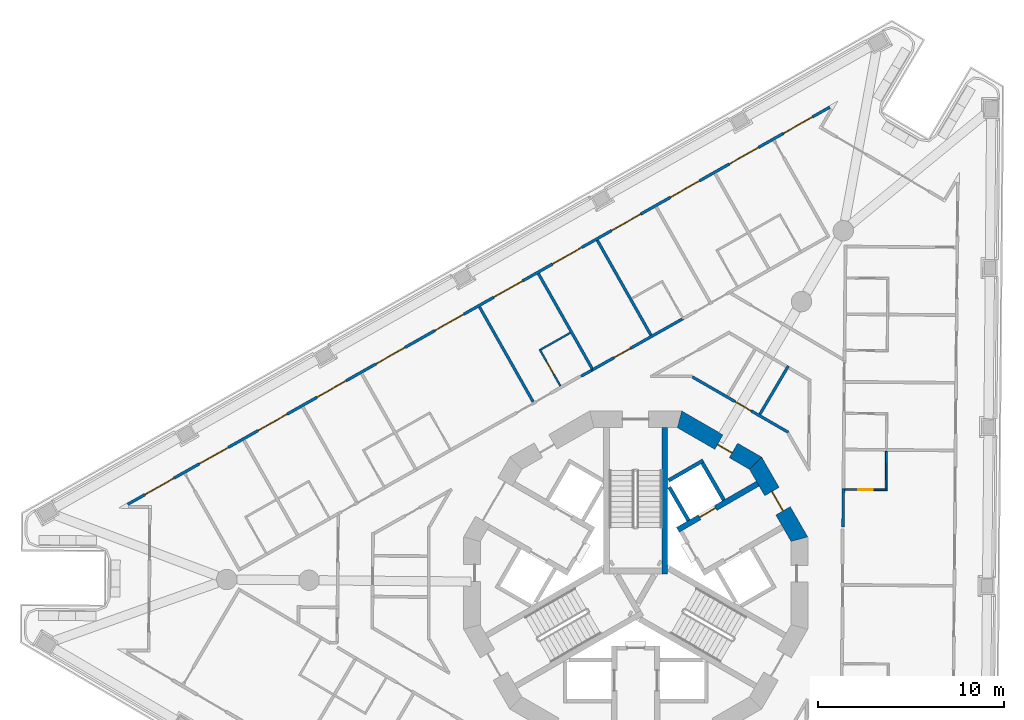
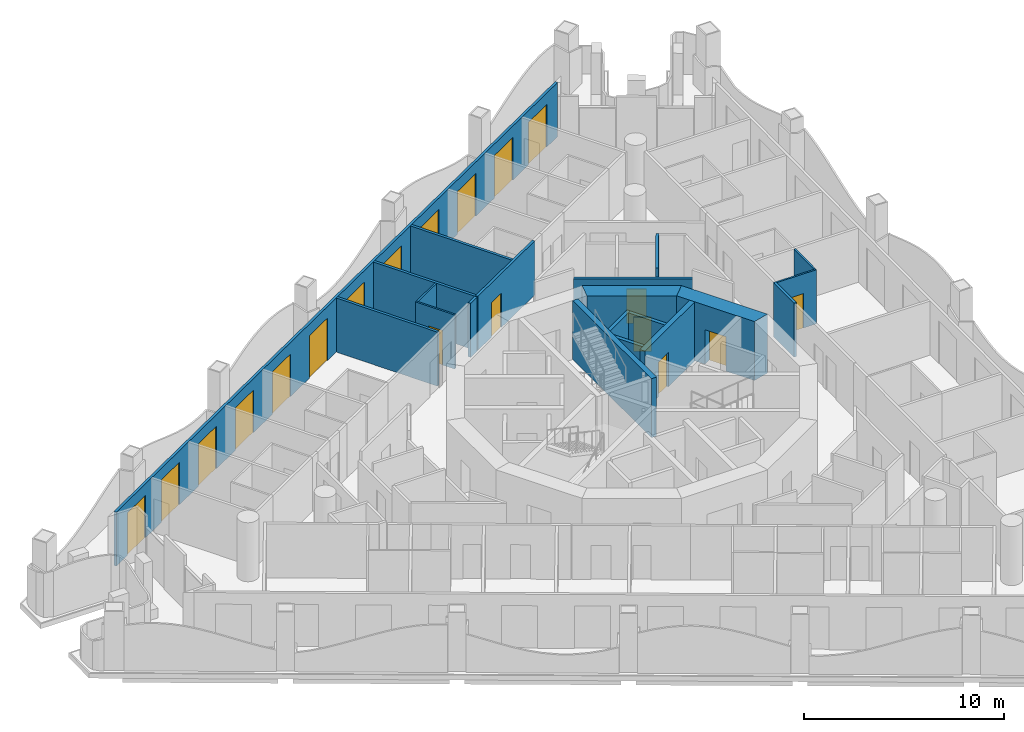
# One storey, part 8 of 17: 20 walls, 19 doors, 19 openings.
"""IFC4 building model written with IfcOpenShell, lengths in metres."""

from ifc_helpers import new_model, si_unit, direction, frame, frame_2d, origin, place, context, subcontext, project, spatial, polyline, rectangle, outline, extrude, material, layer, layer_set, type_object, element, fill, save


model = new_model("IFC4")

# Units and contexts
model_context = context("Model", 3, precision=1e-05, world=origin(), true_north=direction((0.0, 1.0)))
body_context = subcontext(model_context, "Body", "Model", "MODEL_VIEW")
ifc_project = project(units=[si_unit("LENGTHUNIT", "METRE"), si_unit("AREAUNIT", "SQUARE_METRE"), si_unit("VOLUMEUNIT", "CUBIC_METRE"), si_unit("PLANEANGLEUNIT", "RADIAN"), si_unit("MASSUNIT", "GRAM", prefix="KILO")], contexts=[model_context])

# Site, building, storey
site_placement = place(None, origin())
site = spatial("IfcSite", under=ifc_project, at=site_placement, CompositionType="ELEMENT")
building_placement = place(site_placement, origin())
building = spatial("IfcBuilding", under=site, at=building_placement, Name="Trine Commons Tower", CompositionType="ELEMENT")
storey_placement = place(building_placement, frame((0.0, 0.0, 179.10009765625)))
storey = spatial("IfcBuildingStorey", under=building, at=storey_placement, Name="L46", CompositionType="ELEMENT", Elevation=179.10009765625)

# Wall, openings, doors
ifc_material_1 = material(Name="Aluminium-framed insulated wall panel", Category="aluminium")
ifc_layer_1 = layer(ifc_material_1, 0.14990234375)
ifc_layer_set_1 = layer_set([ifc_layer_1], Name="Aluminium-framed insulated wall panel")
wall_type_1 = type_object("IfcWallType", Name="Glazed frame wall 150, EI 60", PredefinedType="SOLIDWALL", material=ifc_layer_set_1)
wall_1_placement = place(storey_placement, frame((52.497802734375, 66.67041015625, 0.0), z_axis=(0.0, 0.0, 1.0), x_axis=(0.870354973249, 0.492424837453, 0.0)))
wall_1 = element("IfcWall", 1, at=wall_1_placement, inside=storey, type_object=wall_type_1, Name="Glazed frame wall F1", PredefinedType="SOLIDWALL", context=body_context, shape_type="SweptSolid", body=[
    extrude(outline(polyline([(0.1494140625, 0.074951171875), (0.1494140625, -0.074951171875), (43.616943359375, -0.074951171875), (43.616943359375, 0.074951171875), (0.1494140625, 0.074951171875)])), origin(), (0.0, 0.0, 1.0), 3.2998046875),
])
opening_1_placement = place(wall_1_placement, frame((1.2236328125, 0.0, 0.0)))
opening_1 = element("IfcOpeningElement", 2, at=opening_1_placement, cuts=wall_1, Name="Opening BD-5F1-01", PredefinedType="OPENING", context=body_context, shape_type="SweptSolid", body=[
    extrude(rectangle(XDim=1.800048828125, YDim=2.60009765625, at=frame_2d((0.89990234375, 1.300048828125))), frame((0.0, 0.0849609375, 0.0), z_axis=(0.0, -1.0, 0.0), x_axis=(1.0, 0.0, 0.0)), (0.0, 0.0, 1.0), 0.169921875),
])
opening_2_placement = place(wall_1_placement, frame((4.57080078125, 0.0, 0.0)))
opening_2 = element("IfcOpeningElement", 3, at=opening_2_placement, cuts=wall_1, Name="Opening BD-5F1-02", PredefinedType="OPENING", context=body_context, shape_type="SweptSolid", body=[
    extrude(rectangle(XDim=1.800048828125, YDim=2.60009765625, at=frame_2d((0.89990234375, 1.300048828125))), frame((0.0, 0.0849609375, 0.0), z_axis=(0.0, -1.0, 0.0), x_axis=(1.0, 0.0, 0.0)), (0.0, 0.0, 1.0), 0.169921875),
])
opening_3_placement = place(wall_1_placement, frame((8.218017578125, 0.0, 0.0)))
opening_3 = element("IfcOpeningElement", 4, at=opening_3_placement, cuts=wall_1, Name="Opening BD-5F1-03", PredefinedType="OPENING", context=body_context, shape_type="SweptSolid", body=[
    extrude(rectangle(XDim=1.800048828125, YDim=2.60009765625, at=frame_2d((0.89990234375, 1.300048828125))), frame((0.0, 0.0849609375, 0.0), z_axis=(0.0, -1.0, 0.0), x_axis=(1.0, 0.0, 0.0)), (0.0, 0.0, 1.0), 0.169921875),
])
opening_4_placement = place(wall_1_placement, frame((11.865234375, 0.0, 0.0)))
opening_4 = element("IfcOpeningElement", 5, at=opening_4_placement, cuts=wall_1, Name="Opening BD-5F1-04", PredefinedType="OPENING", context=body_context, shape_type="SweptSolid", body=[
    extrude(rectangle(XDim=1.800048828125, YDim=2.60009765625, at=frame_2d((0.89990234375, 1.300048828125))), frame((0.0, 0.0849609375, 0.0), z_axis=(0.0, -1.0, 0.0), x_axis=(1.0, 0.0, 0.0)), (0.0, 0.0, 1.0), 0.169921875),
])
opening_5_placement = place(wall_1_placement, frame((15.512451171875, 0.0, 0.0)))
opening_5 = element("IfcOpeningElement", 6, at=opening_5_placement, cuts=wall_1, Name="Opening BD-5F1-05", PredefinedType="OPENING", context=body_context, shape_type="SweptSolid", body=[
    extrude(rectangle(XDim=1.800048828125, YDim=2.60009765625, at=frame_2d((0.89990234375, 1.300048828125))), frame((0.0, 0.0849609375, 0.0), z_axis=(0.0, -1.0, 0.0), x_axis=(1.0, 0.0, 0.0)), (0.0, 0.0, 1.0), 0.169921875),
])
opening_6_placement = place(wall_1_placement, frame((19.15966796875, 0.0, 0.0)))
opening_6 = element("IfcOpeningElement", 7, at=opening_6_placement, cuts=wall_1, Name="Opening BD-5F1-06", PredefinedType="OPENING", context=body_context, shape_type="SweptSolid", body=[
    extrude(rectangle(XDim=1.800048828125, YDim=2.60009765625, at=frame_2d((0.89990234375, 1.300048828125))), frame((0.0, 0.0849609375, 0.0), z_axis=(0.0, -1.0, 0.0), x_axis=(1.0, 0.0, 0.0)), (0.0, 0.0, 1.0), 0.169921875),
])
opening_7_placement = place(wall_1_placement, frame((22.806884765625, 0.0, 0.0)))
opening_7 = element("IfcOpeningElement", 8, at=opening_7_placement, cuts=wall_1, Name="Opening BD-5F1-07", PredefinedType="OPENING", context=body_context, shape_type="SweptSolid", body=[
    extrude(rectangle(XDim=1.800048828125, YDim=2.60009765625, at=frame_2d((0.89990234375, 1.300048828125))), frame((0.0, 0.0849609375, 0.0), z_axis=(0.0, -1.0, 0.0), x_axis=(1.0, 0.0, 0.0)), (0.0, 0.0, 1.0), 0.169921875),
])
opening_8_placement = place(wall_1_placement, frame((26.4541015625, 0.0, 0.0)))
opening_8 = element("IfcOpeningElement", 9, at=opening_8_placement, cuts=wall_1, Name="Opening BD-5F1-08", PredefinedType="OPENING", context=body_context, shape_type="SweptSolid", body=[
    extrude(rectangle(XDim=1.800048828125, YDim=2.60009765625, at=frame_2d((0.89990234375, 1.300048828125))), frame((0.0, 0.0849609375, 0.0), z_axis=(0.0, -1.0, 0.0), x_axis=(1.0, 0.0, 0.0)), (0.0, 0.0, 1.0), 0.169921875),
])
opening_9_placement = place(wall_1_placement, frame((30.101318359375, 0.0, 0.0)))
opening_9 = element("IfcOpeningElement", 10, at=opening_9_placement, cuts=wall_1, Name="Opening BD-5F1-09", PredefinedType="OPENING", context=body_context, shape_type="SweptSolid", body=[
    extrude(rectangle(XDim=1.800048828125, YDim=2.60009765625, at=frame_2d((0.89990234375, 1.300048828125))), frame((0.0, 0.0849609375, 0.0), z_axis=(0.0, -1.0, 0.0), x_axis=(1.0, 0.0, 0.0)), (0.0, 0.0, 1.0), 0.169921875),
])
opening_10_placement = place(wall_1_placement, frame((33.748291015625, 0.0, 0.0)))
opening_10 = element("IfcOpeningElement", 11, at=opening_10_placement, cuts=wall_1, Name="Opening BD-5F1-10", PredefinedType="OPENING", context=body_context, shape_type="SweptSolid", body=[
    extrude(rectangle(XDim=1.800048828125, YDim=2.60009765625, at=frame_2d((0.89990234375, 1.300048828125))), frame((0.0, 0.0849609375, 0.0), z_axis=(0.0, -1.0, 0.0), x_axis=(1.0, 0.0, 0.0)), (0.0, 0.0, 1.0), 0.169921875),
])
opening_11_placement = place(wall_1_placement, frame((37.3955078125, 0.0, 0.0)))
opening_11 = element("IfcOpeningElement", 12, at=opening_11_placement, cuts=wall_1, Name="Opening BD-5F1-11", PredefinedType="OPENING", context=body_context, shape_type="SweptSolid", body=[
    extrude(rectangle(XDim=1.800048828125, YDim=2.60009765625, at=frame_2d((0.89990234375, 1.300048828125))), frame((0.0, 0.0849609375, 0.0), z_axis=(0.0, -1.0, 0.0), x_axis=(1.0, 0.0, 0.0)), (0.0, 0.0, 1.0), 0.169921875),
])
opening_12_placement = place(wall_1_placement, frame((40.742919921875, 0.0, 0.0)))
opening_12 = element("IfcOpeningElement", 13, at=opening_12_placement, cuts=wall_1, Name="Opening BD-5F1-12", PredefinedType="OPENING", context=body_context, shape_type="SweptSolid", body=[
    extrude(rectangle(XDim=1.800048828125, YDim=2.60009765625, at=frame_2d((0.89990234375, 1.300048828125))), frame((0.0, 0.0849609375, 0.0), z_axis=(0.0, -1.0, 0.0), x_axis=(1.0, 0.0, 0.0)), (0.0, 0.0, 1.0), 0.169921875),
])
ifc_material_2 = material(Name="Anodised aluminium frame with double glazing", Category="aluminium")
door_type_1 = type_object("IfcDoorType", Name="Sliding loggia door 1800x2600", OperationType="SLIDING_TO_LEFT", PredefinedType="DOOR", material=ifc_material_2)
door_1_placement = place(opening_1_placement, origin())
door_1 = element("IfcDoor", 14, at=door_1_placement, inside=storey, type_object=door_type_1, Name="Loggia door F1 1", OperationType="SLIDING_TO_LEFT", OverallHeight=2.60009765625, OverallWidth=1.800048828125, PredefinedType="DOOR", context=body_context, shape_type="SweptSolid", body=[
    extrude(rectangle(XDim=1.800048828125, YDim=2.60009765625, at=frame_2d((0.89990234375, 1.300048828125))), frame((0.0, 0.02490234375, 0.0), z_axis=(0.0, -1.0, 0.0), x_axis=(1.0, 0.0, 0.0)), (0.0, 0.0, 1.0), 0.050048828125),
])
fill(opening_1, door_1)
door_2_placement = place(opening_2_placement, origin())
door_2 = element("IfcDoor", 15, at=door_2_placement, inside=storey, type_object=door_type_1, Name="Loggia door F1 2", OperationType="SLIDING_TO_LEFT", OverallHeight=2.60009765625, OverallWidth=1.800048828125, PredefinedType="DOOR", context=body_context, shape_type="SweptSolid", body=[
    extrude(rectangle(XDim=1.800048828125, YDim=2.60009765625, at=frame_2d((0.89990234375, 1.300048828125))), frame((0.0, 0.02490234375, 0.0), z_axis=(0.0, -1.0, 0.0), x_axis=(1.0, 0.0, 0.0)), (0.0, 0.0, 1.0), 0.050048828125),
])
fill(opening_2, door_2)
door_3_placement = place(opening_3_placement, origin())
door_3 = element("IfcDoor", 16, at=door_3_placement, inside=storey, type_object=door_type_1, Name="Loggia door F1 3", OperationType="SLIDING_TO_LEFT", OverallHeight=2.60009765625, OverallWidth=1.800048828125, PredefinedType="DOOR", context=body_context, shape_type="SweptSolid", body=[
    extrude(rectangle(XDim=1.800048828125, YDim=2.60009765625, at=frame_2d((0.89990234375, 1.300048828125))), frame((0.0, 0.02490234375, 0.0), z_axis=(0.0, -1.0, 0.0), x_axis=(1.0, 0.0, 0.0)), (0.0, 0.0, 1.0), 0.050048828125),
])
fill(opening_3, door_3)
door_4_placement = place(opening_4_placement, origin())
door_4 = element("IfcDoor", 17, at=door_4_placement, inside=storey, type_object=door_type_1, Name="Loggia door F1 4", OperationType="SLIDING_TO_LEFT", OverallHeight=2.60009765625, OverallWidth=1.800048828125, PredefinedType="DOOR", context=body_context, shape_type="SweptSolid", body=[
    extrude(rectangle(XDim=1.800048828125, YDim=2.60009765625, at=frame_2d((0.89990234375, 1.300048828125))), frame((0.0, 0.02490234375, 0.0), z_axis=(0.0, -1.0, 0.0), x_axis=(1.0, 0.0, 0.0)), (0.0, 0.0, 1.0), 0.050048828125),
])
fill(opening_4, door_4)
door_5_placement = place(opening_5_placement, origin())
door_5 = element("IfcDoor", 18, at=door_5_placement, inside=storey, type_object=door_type_1, Name="Loggia door F1 5", OperationType="SLIDING_TO_LEFT", OverallHeight=2.60009765625, OverallWidth=1.800048828125, PredefinedType="DOOR", context=body_context, shape_type="SweptSolid", body=[
    extrude(rectangle(XDim=1.800048828125, YDim=2.60009765625, at=frame_2d((0.89990234375, 1.300048828125))), frame((0.0, 0.02490234375, 0.0), z_axis=(0.0, -1.0, 0.0), x_axis=(1.0, 0.0, 0.0)), (0.0, 0.0, 1.0), 0.050048828125),
])
fill(opening_5, door_5)
door_6_placement = place(opening_6_placement, origin())
door_6 = element("IfcDoor", 19, at=door_6_placement, inside=storey, type_object=door_type_1, Name="Loggia door F1 6", OperationType="SLIDING_TO_LEFT", OverallHeight=2.60009765625, OverallWidth=1.800048828125, PredefinedType="DOOR", context=body_context, shape_type="SweptSolid", body=[
    extrude(rectangle(XDim=1.800048828125, YDim=2.60009765625, at=frame_2d((0.89990234375, 1.300048828125))), frame((0.0, 0.02490234375, 0.0), z_axis=(0.0, -1.0, 0.0), x_axis=(1.0, 0.0, 0.0)), (0.0, 0.0, 1.0), 0.050048828125),
])
fill(opening_6, door_6)
door_7_placement = place(opening_7_placement, origin())
door_7 = element("IfcDoor", 20, at=door_7_placement, inside=storey, type_object=door_type_1, Name="Loggia door F1 7", OperationType="SLIDING_TO_LEFT", OverallHeight=2.60009765625, OverallWidth=1.800048828125, PredefinedType="DOOR", context=body_context, shape_type="SweptSolid", body=[
    extrude(rectangle(XDim=1.800048828125, YDim=2.60009765625, at=frame_2d((0.89990234375, 1.300048828125))), frame((0.0, 0.02490234375, 0.0), z_axis=(0.0, -1.0, 0.0), x_axis=(1.0, 0.0, 0.0)), (0.0, 0.0, 1.0), 0.050048828125),
])
fill(opening_7, door_7)
door_8_placement = place(opening_8_placement, origin())
door_8 = element("IfcDoor", 21, at=door_8_placement, inside=storey, type_object=door_type_1, Name="Loggia door F1 8", OperationType="SLIDING_TO_LEFT", OverallHeight=2.60009765625, OverallWidth=1.800048828125, PredefinedType="DOOR", context=body_context, shape_type="SweptSolid", body=[
    extrude(rectangle(XDim=1.800048828125, YDim=2.60009765625, at=frame_2d((0.89990234375, 1.300048828125))), frame((0.0, 0.02490234375, 0.0), z_axis=(0.0, -1.0, 0.0), x_axis=(1.0, 0.0, 0.0)), (0.0, 0.0, 1.0), 0.050048828125),
])
fill(opening_8, door_8)
door_9_placement = place(opening_9_placement, origin())
door_9 = element("IfcDoor", 22, at=door_9_placement, inside=storey, type_object=door_type_1, Name="Loggia door F1 9", OperationType="SLIDING_TO_LEFT", OverallHeight=2.60009765625, OverallWidth=1.800048828125, PredefinedType="DOOR", context=body_context, shape_type="SweptSolid", body=[
    extrude(rectangle(XDim=1.800048828125, YDim=2.60009765625, at=frame_2d((0.89990234375, 1.300048828125))), frame((0.0, 0.02490234375, 0.0), z_axis=(0.0, -1.0, 0.0), x_axis=(1.0, 0.0, 0.0)), (0.0, 0.0, 1.0), 0.050048828125),
])
fill(opening_9, door_9)
door_10_placement = place(opening_10_placement, origin())
door_10 = element("IfcDoor", 23, at=door_10_placement, inside=storey, type_object=door_type_1, Name="Loggia door F1 10", OperationType="SLIDING_TO_LEFT", OverallHeight=2.60009765625, OverallWidth=1.800048828125, PredefinedType="DOOR", context=body_context, shape_type="SweptSolid", body=[
    extrude(rectangle(XDim=1.800048828125, YDim=2.60009765625, at=frame_2d((0.89990234375, 1.300048828125))), frame((0.0, 0.02490234375, 0.0), z_axis=(0.0, -1.0, 0.0), x_axis=(1.0, 0.0, 0.0)), (0.0, 0.0, 1.0), 0.050048828125),
])
fill(opening_10, door_10)
door_11_placement = place(opening_11_placement, origin())
door_11 = element("IfcDoor", 24, at=door_11_placement, inside=storey, type_object=door_type_1, Name="Loggia door F1 11", OperationType="SLIDING_TO_LEFT", OverallHeight=2.60009765625, OverallWidth=1.800048828125, PredefinedType="DOOR", context=body_context, shape_type="SweptSolid", body=[
    extrude(rectangle(XDim=1.800048828125, YDim=2.60009765625, at=frame_2d((0.89990234375, 1.300048828125))), frame((0.0, 0.02490234375, 0.0), z_axis=(0.0, -1.0, 0.0), x_axis=(1.0, 0.0, 0.0)), (0.0, 0.0, 1.0), 0.050048828125),
])
fill(opening_11, door_11)
door_12_placement = place(opening_12_placement, origin())
door_12 = element("IfcDoor", 25, at=door_12_placement, inside=storey, type_object=door_type_1, Name="Loggia door F1 12", OperationType="SLIDING_TO_LEFT", OverallHeight=2.60009765625, OverallWidth=1.800048828125, PredefinedType="DOOR", context=body_context, shape_type="SweptSolid", body=[
    extrude(rectangle(XDim=1.800048828125, YDim=2.60009765625, at=frame_2d((0.89990234375, 1.300048828125))), frame((0.0, 0.02490234375, 0.0), z_axis=(0.0, -1.0, 0.0), x_axis=(1.0, 0.0, 0.0)), (0.0, 0.0, 1.0), 0.050048828125),
])
fill(opening_12, door_12)

# Wall, opening, door
ifc_material_3 = material(Name="Concrete C60/75", Category="concrete")
ifc_layer_2 = layer(ifc_material_3, 0.300048828125)
ifc_layer_set_2 = layer_set([ifc_layer_2], Name="Concrete C60/75")
wall_type_2 = type_object("IfcWallType", Name="RC shear wall 300 mm, C60/75", PredefinedType="SHEAR", material=ifc_layer_set_2)
wall_2_placement = place(storey_placement, frame((82.26904296875, 65.368896484375, 0.0), z_axis=(0.0, 0.0, 1.0), x_axis=(0.865983655544, 0.500072303102, 0.0)))
wall_2 = element("IfcWall", 26, at=wall_2_placement, inside=storey, type_object=wall_type_2, Name="Core cross wall SWB-05 L46", PredefinedType="SHEAR", context=body_context, shape_type="SweptSolid", body=[
    extrude(rectangle(XDim=4.973388671875, YDim=0.300048828125, at=frame_2d((2.48681640625, 0.0))), origin(), (0.0, 0.0, 1.0), 3.599853515625),
])
opening_13_placement = place(wall_2_placement, frame((1.3505859375, 0.0, 0.0)))
opening_13 = element("IfcOpeningElement", 27, at=opening_13_placement, cuts=wall_2, Name="Opening LD5", PredefinedType="OPENING", context=body_context, shape_type="SweptSolid", body=[
    extrude(rectangle(XDim=1.0, YDim=2.10009765625, at=frame_2d((0.5, 1.050048828125))), frame((0.0, 0.159912109375, 0.0), z_axis=(0.0, -1.0, 0.0), x_axis=(1.0, 0.0, 0.0)), (0.0, 0.0, 1.0), 0.320068359375),
])
ifc_material_4 = material(Name="Stainless steel sliding door leaves", Category="steel")
door_type_2 = type_object("IfcDoorType", Name="Lift landing door, centre-opening sliding 1000 x 2100, FD90", OperationType="DOUBLE_DOOR_SLIDING", PredefinedType="DOOR", material=ifc_material_4)
door_13_placement = place(opening_13_placement, origin())
door_13 = element("IfcDoor", 28, at=door_13_placement, inside=storey, type_object=door_type_2, Name="Lift landing door HR1 L46", OperationType="DOUBLE_DOOR_SLIDING", OverallHeight=2.10009765625, OverallWidth=1.0, PredefinedType="DOOR", context=body_context, shape_type="SweptSolid", body=[
    extrude(rectangle(XDim=1.0, YDim=2.10009765625, at=frame_2d((0.5, 1.050048828125))), frame((0.0, 0.02490234375, 0.0), z_axis=(0.0, -1.0, 0.0), x_axis=(1.0, 0.0, 0.0)), (0.0, 0.0, 1.0), 0.050048828125),
])
fill(opening_13, door_13)

# Wall
wall_3_placement = place(storey_placement, frame((81.574951171875, 63.0009765625, 0.0), z_axis=(0.0, 0.0, 1.0), x_axis=(0.0, 1.0, 0.0)))
element("IfcWall", 29, at=wall_3_placement, inside=storey, type_object=wall_type_2, Name="Core cross wall SWB-17 L46", PredefinedType="SHEAR", context=body_context, shape_type="SweptSolid", body=[
    extrude(rectangle(XDim=7.8720703125, YDim=0.300048828125, at=frame_2d((3.93603515625, 0.0))), origin(), (0.0, 0.0, 1.0), 3.599853515625),
])

# Wall, opening, door
ifc_layer_3 = layer(ifc_material_3, 0.89990234375)
ifc_layer_set_3 = layer_set([ifc_layer_3], Name="Concrete C60/75")
wall_type_3 = type_object("IfcWallType", Name="RC shear wall 900 mm, C60/75", PredefinedType="SHEAR", material=ifc_layer_set_3)
wall_4_placement = place(storey_placement, frame((88.88330078125, 64.759765625, 0.0), z_axis=(0.0, 0.0, 1.0), x_axis=(-0.500038571144, 0.866003133579, 0.0)))
wall_4 = element("IfcWall", 30, at=wall_4_placement, inside=storey, type_object=wall_type_3, Name="Core wall CWE-02 L46", PredefinedType="SHEAR", context=body_context, shape_type="SweptSolid", body=[
    extrude(outline(polyline([(0.0, -0.449951171875), (4.96923828125, -0.449951171875), (4.72802734375, 0.449951171875), (0.2412109375, 0.449951171875), (0.0, -0.449951171875)])), origin(), (0.0, 0.0, 1.0), 3.599853515625),
])
opening_14_placement = place(wall_4_placement, frame((1.884521484375, 0.0, 0.0)))
opening_14 = element("IfcOpeningElement", 31, at=opening_14_placement, cuts=wall_4, Name="Opening K09.04", PredefinedType="OPENING", context=body_context, shape_type="SweptSolid", body=[
    extrude(rectangle(XDim=1.199951171875, YDim=2.10009765625, at=frame_2d((0.60009765625, 1.050048828125))), frame((0.0, 0.4599609375, 0.0), z_axis=(0.0, -1.0, 0.0), x_axis=(1.0, 0.0, 0.0)), (0.0, 0.0, 1.0), 0.919921875),
])
ifc_material_5 = material(Name="Steel door leaves, fire-rated", Category="steel")
door_type_3 = type_object("IfcDoorType", Name="Lobby door, double leaf 1200 x 2100, FD60", OperationType="DOUBLE_DOOR_SINGLE_SWING", PredefinedType="DOOR", material=ifc_material_5)
door_14_placement = place(opening_14_placement, origin())
door_14 = element("IfcDoor", 32, at=door_14_placement, inside=storey, type_object=door_type_3, Name="Lobby door, Passenger lift lobby A L46", OperationType="DOUBLE_DOOR_SINGLE_SWING", OverallHeight=2.10009765625, OverallWidth=1.199951171875, PredefinedType="DOOR", context=body_context, shape_type="SweptSolid", body=[
    extrude(rectangle(XDim=1.199951171875, YDim=2.10009765625, at=frame_2d((0.60009765625, 1.050048828125))), frame((0.0, 0.02490234375, 0.0), z_axis=(0.0, -1.0, 0.0), x_axis=(1.0, 0.0, 0.0)), (0.0, 0.0, 1.0), 0.050048828125),
])
fill(opening_14, door_14)

wall_5_placement = place(storey_placement, frame((86.563232421875, 68.8984375, 0.0), z_axis=(0.0, 0.0, 1.0), x_axis=(-0.866003133579, 0.500038571144, 0.0)))
wall_5 = element("IfcWall", 33, at=wall_5_placement, inside=storey, type_object=wall_type_3, Name="Core wall CWE-03 L46", PredefinedType="SHEAR", context=body_context, shape_type="SweptSolid", body=[
    extrude(outline(polyline([(0.0, -0.449951171875), (4.96923828125, -0.449951171875), (4.72802734375, 0.449951171875), (0.2412109375, 0.449951171875), (0.0, -0.449951171875)])), origin(), (0.0, 0.0, 1.0), 3.599853515625),
])
opening_15_placement = place(wall_5_placement, frame((1.49609375, 0.0, 0.0)))
opening_15 = element("IfcOpeningElement", 34, at=opening_15_placement, cuts=wall_5, Name="Opening K09.11", PredefinedType="OPENING", context=body_context, shape_type="SweptSolid", body=[
    extrude(rectangle(XDim=0.89990234375, YDim=2.10009765625, at=frame_2d((0.449951171875, 1.050048828125))), frame((0.0, 0.4599609375, 0.0), z_axis=(0.0, -1.0, 0.0), x_axis=(1.0, 0.0, 0.0)), (0.0, 0.0, 1.0), 0.919921875),
])
ifc_material_6 = material(Name="Steel door leaf, fire-rated", Category="steel")
door_type_4 = type_object("IfcDoorType", Name="Core room door, single leaf 900 x 2100, FD30S", OperationType="SINGLE_SWING_LEFT", PredefinedType="DOOR", material=ifc_material_6)
door_15_placement = place(opening_15_placement, origin())
door_15 = element("IfcDoor", 35, at=door_15_placement, inside=storey, type_object=door_type_4, Name="Door to Accessible WC L46", OperationType="SINGLE_SWING_LEFT", OverallHeight=2.10009765625, OverallWidth=0.89990234375, PredefinedType="DOOR", context=body_context, shape_type="SweptSolid", body=[
    extrude(rectangle(XDim=0.89990234375, YDim=2.10009765625, at=frame_2d((0.449951171875, 1.050048828125))), frame((0.0, 0.1748046875, 0.0), z_axis=(0.0, -1.0, 0.0), x_axis=(1.0, 0.0, 0.0)), (0.0, 0.0, 1.0), 0.050048828125),
])
fill(opening_15, door_15)

# Walls
ifc_material_7 = material(Name="Fire-rated gypsum shaft wall system")
ifc_layer_4 = layer(ifc_material_7, 0.199951171875)
ifc_layer_set_4 = layer_set([ifc_layer_4], Name="Fire-rated gypsum shaft wall system")
wall_type_4 = type_object("IfcWallType", Name="Shaft wall 200 mm, EI 120", PredefinedType="PARTITIONING", material=ifc_layer_set_4)
wall_6_placement = place(storey_placement, frame((81.77490234375, 68.028076171875, 0.0), z_axis=(0.0, 0.0, 1.0), x_axis=(0.866130725101, 0.499817533742, 0.0)))
element("IfcWall", 36, at=wall_6_placement, inside=storey, type_object=wall_type_4, Name="Shaft wall L46", PredefinedType="PARTITIONING", context=body_context, shape_type="SweptSolid", body=[
    extrude(rectangle(XDim=2.148681640625, YDim=0.199951171875, at=frame_2d((1.07421875, 0.0))), origin(), (0.0, 0.0, 1.0), 3.2998046875),
])
wall_7_placement = place(storey_placement, frame((82.843994140625, 65.8740234375, 0.0), z_axis=(0.0, 0.0, 1.0), x_axis=(-0.499865770674, 0.866102887253, 0.0)))
element("IfcWall", 37, at=wall_7_placement, inside=storey, type_object=wall_type_4, Name="Shaft wall L46", PredefinedType="PARTITIONING", context=body_context, shape_type="SweptSolid", body=[
    extrude(rectangle(XDim=2.064453125, YDim=0.199951171875, at=frame_2d((1.0322265625, 0.0))), origin(), (0.0, 0.0, 1.0), 3.2998046875),
])
wall_8_placement = place(storey_placement, frame((84.7490234375, 66.97412109375, 0.0), z_axis=(0.0, 0.0, 1.0), x_axis=(-0.500136062276, 0.86594683394, 0.0)))
element("IfcWall", 38, at=wall_8_placement, inside=storey, type_object=wall_type_4, Name="Shaft wall L46", PredefinedType="PARTITIONING", context=body_context, shape_type="SweptSolid", body=[
    extrude(rectangle(XDim=2.299072265625, YDim=0.199951171875, at=frame_2d((1.1494140625, 0.0))), origin(), (0.0, 0.0, 1.0), 3.2998046875),
])
ifc_material_8 = material(Name="Gypsum plasterboard on steel stud", Category="steel")
ifc_layer_5 = layer(ifc_material_8, 0.14990234375)
ifc_layer_set_5 = layer_set([ifc_layer_5], Name="Gypsum plasterboard on steel stud")
wall_type_5 = type_object("IfcWallType", Name="Unit and corridor wall 150 mm, EI 60", PredefinedType="PARTITIONING", material=ifc_layer_set_5)
wall_9_placement = place(storey_placement, frame((71.580810546875, 77.381103515625, 0.0), z_axis=(0.0, 0.0, 1.0), x_axis=(0.4923790567, -0.870380873252, 0.0)))
element("IfcWall", 39, at=wall_9_placement, inside=storey, type_object=wall_type_5, Name="Partition 050", PredefinedType="PARTITIONING", context=body_context, shape_type="SweptSolid", body=[
    extrude(rectangle(XDim=5.874267578125, YDim=0.14990234375, at=frame_2d((2.93701171875, 0.0))), origin(), (0.0, 0.0, 1.0), 3.2998046875),
])
wall_10_placement = place(storey_placement, frame((74.755615234375, 79.17724609375, 0.0), z_axis=(0.0, 0.0, 1.0), x_axis=(0.492372363177, -0.870384659779, 0.0)))
element("IfcWall", 40, at=wall_10_placement, inside=storey, type_object=wall_type_5, Name="Partition 054", PredefinedType="PARTITIONING", context=body_context, shape_type="SweptSolid", body=[
    extrude(rectangle(XDim=6.0244140625, YDim=0.14990234375, at=frame_2d((3.01220703125, 0.0))), origin(), (0.0, 0.0, 1.0), 3.2998046875),
])
wall_11_placement = place(storey_placement, frame((77.06396484375, 73.64794921875, 0.0), z_axis=(0.0, 0.0, 1.0), x_axis=(0.870364477798, 0.492408037898, 0.0)))
element("IfcWall", 41, at=wall_11_placement, inside=storey, type_object=wall_type_5, Name="Partition 058", PredefinedType="PARTITIONING", context=body_context, shape_type="SweptSolid", body=[
    extrude(rectangle(XDim=0.64208984375, YDim=0.14990234375, at=frame_2d((0.321044921875, 0.0))), origin(), (0.0, 0.0, 1.0), 3.2998046875),
])

# Wall, opening, door
wall_12_placement = place(storey_placement, frame((77.681884765625, 73.9970703125, 0.0), z_axis=(0.0, 0.0, 1.0), x_axis=(0.870307945002, 0.492507950055, 0.0)))
wall_12 = element("IfcWall", 42, at=wall_12_placement, inside=storey, type_object=wall_type_5, Name="Partition 062", PredefinedType="PARTITIONING", context=body_context, shape_type="SweptSolid", body=[
    extrude(rectangle(XDim=5.60400390625, YDim=0.14990234375, at=frame_2d((2.802001953125, 0.0))), origin(), (0.0, 0.0, 1.0), 3.2998046875),
])
opening_16_placement = place(wall_12_placement, frame((1.3271484375, 0.0, 0.0)))
opening_16 = element("IfcOpeningElement", 43, at=opening_16_placement, cuts=wall_12, Name="Opening D-5B11", PredefinedType="OPENING", context=body_context, shape_type="SweptSolid", body=[
    extrude(rectangle(XDim=1.0, YDim=2.10009765625, at=frame_2d((0.5, 1.050048828125))), frame((0.0, 0.0849609375, 0.0), z_axis=(0.0, -1.0, 0.0), x_axis=(1.0, 0.0, 0.0)), (0.0, 0.0, 1.0), 0.169921875),
])
ifc_material_9 = material(Name="Painted timber", Category="wood")
door_type_5 = type_object("IfcDoorType", Name="Amenity room door 1000 x 2100, NOT RATED", OperationType="NOTDEFINED", PredefinedType="DOOR", material=ifc_material_9)
door_16_placement = place(opening_16_placement, origin())
door_16 = element("IfcDoor", 44, at=door_16_placement, inside=storey, type_object=door_type_5, Name="Door D-5B11", OperationType="SINGLE_SWING_LEFT", OverallHeight=2.10009765625, OverallWidth=1.0, PredefinedType="DOOR", context=body_context, shape_type="SweptSolid", body=[
    extrude(rectangle(XDim=1.0, YDim=2.10009765625, at=frame_2d((0.5, 1.050048828125))), frame((0.0, 0.02490234375, 0.0), z_axis=(0.0, -1.0, 0.0), x_axis=(1.0, 0.0, 0.0)), (0.0, 0.0, 1.0), 0.050048828125),
])
fill(opening_16, door_16)

# Wall
wall_13_placement = place(storey_placement, frame((77.9296875, 80.97314453125, 0.0), z_axis=(0.0, 0.0, 1.0), x_axis=(0.4923790567, -0.870380873252, 0.0)))
element("IfcWall", 45, at=wall_13_placement, inside=storey, type_object=wall_type_5, Name="Partition 063", PredefinedType="PARTITIONING", context=body_context, shape_type="SweptSolid", body=[
    extrude(rectangle(XDim=5.874267578125, YDim=0.14990234375, at=frame_2d((2.93701171875, 0.0))), origin(), (0.0, 0.0, 1.0), 3.2998046875),
])

# Wall, opening, door
wall_14_placement = place(storey_placement, frame((83.052001953125, 73.610595703125, 0.0), z_axis=(0.0, 0.0, 1.0), x_axis=(0.866039280689, -0.499975963725, 0.0)))
wall_14 = element("IfcWall", 46, at=wall_14_placement, inside=storey, type_object=wall_type_5, Name="Partition 079", PredefinedType="PARTITIONING", context=body_context, shape_type="SweptSolid", body=[
    extrude(rectangle(XDim=5.974365234375, YDim=0.14990234375, at=frame_2d((2.9873046875, 0.0))), origin(), (0.0, 0.0, 1.0), 2.75),
])
opening_17_placement = place(wall_14_placement, frame((2.6591796875, 0.0, 0.0)))
opening_17 = element("IfcOpeningElement", 47, at=opening_17_placement, cuts=wall_14, Name="Opening D-5B38", PredefinedType="OPENING", context=body_context, shape_type="SweptSolid", body=[
    extrude(rectangle(XDim=1.0, YDim=2.10009765625, at=frame_2d((0.5, 1.050048828125))), frame((0.0, 0.0849609375, 0.0), z_axis=(0.0, -1.0, 0.0), x_axis=(1.0, 0.0, 0.0)), (0.0, 0.0, 1.0), 0.169921875),
])
door_type_6 = type_object("IfcDoorType", Name="Toilet door 1000 x 2100, NOT RATED", OperationType="NOTDEFINED", PredefinedType="DOOR", material=ifc_material_9)
door_17_placement = place(opening_17_placement, origin())
door_17 = element("IfcDoor", 48, at=door_17_placement, inside=storey, type_object=door_type_6, Name="Door D-5B38", OperationType="SINGLE_SWING_RIGHT", OverallHeight=2.10009765625, OverallWidth=1.0, PredefinedType="DOOR", context=body_context, shape_type="SweptSolid", body=[
    extrude(rectangle(XDim=1.0, YDim=2.10009765625, at=frame_2d((0.5, 1.050048828125))), frame((0.0, 0.02490234375, 0.0), z_axis=(0.0, -1.0, 0.0), x_axis=(1.0, 0.0, 0.0)), (0.0, 0.0, 1.0), 0.050048828125),
])
fill(opening_17, door_17)

# Walls
wall_15_placement = place(storey_placement, frame((86.692138671875, 71.595703125, 0.0), z_axis=(0.0, 0.0, 1.0), x_axis=(0.507553107521, 0.861620475062, 0.0)))
element("IfcWall", 49, at=wall_15_placement, inside=storey, type_object=wall_type_5, Name="Partition 102", PredefinedType="PARTITIONING", context=body_context, shape_type="SweptSolid", body=[
    extrude(rectangle(XDim=3.022216796875, YDim=0.14990234375, at=frame_2d((1.51123046875, 0.0))), origin(), (0.0, 0.0, 1.0), 3.2998046875),
])
wall_16_placement = place(storey_placement, frame((91.174560546875, 65.51611328125, 0.0), z_axis=(0.0, 0.0, 1.0), x_axis=(0.00854769709, 0.99996346777, 0.0)))
element("IfcWall", 50, at=wall_16_placement, inside=storey, type_object=wall_type_5, Name="Partition 131", PredefinedType="PARTITIONING", context=body_context, shape_type="SweptSolid", body=[
    extrude(rectangle(XDim=2.0849609375, YDim=0.14990234375, at=frame_2d((1.04248046875, 0.0))), origin(), (0.0, 0.0, 1.0), 3.2998046875),
])

# Wall, opening, door
ifc_layer_6 = layer(ifc_material_8, 0.10009765625)
ifc_layer_set_6 = layer_set([ifc_layer_6], Name="Gypsum plasterboard on steel stud")
wall_type_6 = type_object("IfcWallType", Name="Unit partition 100 mm, no rating", PredefinedType="PARTITIONING", material=ifc_layer_set_6)
wall_17_placement = place(storey_placement, frame((74.818359375, 75.1044921875, 0.0), z_axis=(0.0, 0.0, 1.0), x_axis=(0.492553914228, -0.870281932237, 0.0)))
wall_17 = element("IfcWall", 51, at=wall_17_placement, inside=storey, type_object=wall_type_6, Name="Partition 055", PredefinedType="PARTITIONING", context=body_context, shape_type="SweptSolid", body=[
    extrude(rectangle(XDim=2.283447265625, YDim=0.10009765625, at=frame_2d((1.1416015625, 0.0))), origin(), (0.0, 0.0, 1.0), 3.2998046875),
])
opening_18_placement = place(wall_17_placement, frame((0.7666015625, 0.0, 0.0)))
opening_18 = element("IfcOpeningElement", 52, at=opening_18_placement, cuts=wall_17, Name="Opening D-5B43", PredefinedType="OPENING", context=body_context, shape_type="SweptSolid", body=[
    extrude(rectangle(XDim=0.800048828125, YDim=2.10009765625, at=frame_2d((0.39990234375, 1.050048828125))), frame((0.0, 0.06005859375, 0.0), z_axis=(0.0, -1.0, 0.0), x_axis=(1.0, 0.0, 0.0)), (0.0, 0.0, 1.0), 0.1201171875),
])
door_type_7 = type_object("IfcDoorType", Name="Internal door 800 x 2100, NOT RATED", OperationType="NOTDEFINED", PredefinedType="DOOR", material=ifc_material_9)
door_18_placement = place(opening_18_placement, frame((0.800048828125, 0.0, 0.0), z_axis=(0.0, 0.0, 1.0), x_axis=(-1.0, 0.0, 0.0)))
door_18 = element("IfcDoor", 53, at=door_18_placement, inside=storey, type_object=door_type_7, Name="Door D-5B43", OperationType="SINGLE_SWING_LEFT", OverallHeight=2.10009765625, OverallWidth=0.800048828125, PredefinedType="DOOR", context=body_context, shape_type="SweptSolid", body=[
    extrude(rectangle(XDim=0.800048828125, YDim=2.10009765625, at=frame_2d((0.39990234375, 1.050048828125))), frame((0.0, 0.02490234375, 0.0), z_axis=(0.0, -1.0, 0.0), x_axis=(1.0, 0.0, 0.0)), (0.0, 0.0, 1.0), 0.050048828125),
])
fill(opening_18, door_18)

# Wall
wall_18_placement = place(storey_placement, frame((74.886474609375, 75.085693359375, 0.0), z_axis=(0.0, 0.0, 1.0), x_axis=(0.870505543583, 0.492158611213, 0.0)))
element("IfcWall", 54, at=wall_18_placement, inside=storey, type_object=wall_type_6, Name="Partition 056", PredefinedType="PARTITIONING", context=body_context, shape_type="SweptSolid", body=[
    extrude(rectangle(XDim=1.825439453125, YDim=0.10009765625, at=frame_2d((0.91259765625, 0.0))), origin(), (0.0, 0.0, 1.0), 3.2998046875),
])

# Wall, opening, door
wall_19_placement = place(storey_placement, frame((91.26806640625, 67.54638671875, 0.0), z_axis=(0.0, 0.0, 1.0), x_axis=(0.999962219299, -0.008692524121, 0.0)))
wall_19 = element("IfcWall", 55, at=wall_19_placement, inside=storey, type_object=wall_type_6, Name="Partition 133", PredefinedType="PARTITIONING", context=body_context, shape_type="SweptSolid", body=[
    extrude(rectangle(XDim=2.27490234375, YDim=0.10009765625, at=frame_2d((1.137451171875, 0.0))), origin(), (0.0, 0.0, 1.0), 3.2998046875),
])
opening_19_placement = place(wall_19_placement, frame((0.71240234375, 0.0, 0.0)))
opening_19 = element("IfcOpeningElement", 56, at=opening_19_placement, cuts=wall_19, Name="Opening D-5B50", PredefinedType="OPENING", context=body_context, shape_type="SweptSolid", body=[
    extrude(rectangle(XDim=0.800048828125, YDim=2.10009765625, at=frame_2d((0.39990234375, 1.050048828125))), frame((0.0, 0.06005859375, 0.0), z_axis=(0.0, -1.0, 0.0), x_axis=(1.0, 0.0, 0.0)), (0.0, 0.0, 1.0), 0.1201171875),
])
door_19_placement = place(opening_19_placement, frame((0.800048828125, 0.0, 0.0), z_axis=(0.0, 0.0, 1.0), x_axis=(-1.0, 0.0, 0.0)))
door_19 = element("IfcDoor", 57, at=door_19_placement, inside=storey, type_object=door_type_7, Name="Door D-5B50", OperationType="SINGLE_SWING_RIGHT", OverallHeight=2.10009765625, OverallWidth=0.800048828125, PredefinedType="DOOR", context=body_context, shape_type="SweptSolid", body=[
    extrude(rectangle(XDim=0.800048828125, YDim=2.10009765625, at=frame_2d((0.39990234375, 1.050048828125))), frame((0.0, 0.02490234375, 0.0), z_axis=(0.0, -1.0, 0.0), x_axis=(1.0, 0.0, 0.0)), (0.0, 0.0, 1.0), 0.050048828125),
])
fill(opening_19, door_19)

# Wall
wall_20_placement = place(storey_placement, frame((93.493408203125, 67.576904296875, 0.0), z_axis=(0.0, 0.0, 1.0), x_axis=(0.008438518102, 0.999964395072, 0.0)))
element("IfcWall", 58, at=wall_20_placement, inside=storey, type_object=wall_type_6, Name="Partition 145", PredefinedType="PARTITIONING", context=body_context, shape_type="SweptSolid", body=[
    extrude(rectangle(XDim=2.025146484375, YDim=0.10009765625, at=frame_2d((1.0126953125, 0.0))), origin(), (0.0, 0.0, 1.0), 3.2998046875),
])

save(model, "model.ifc")
